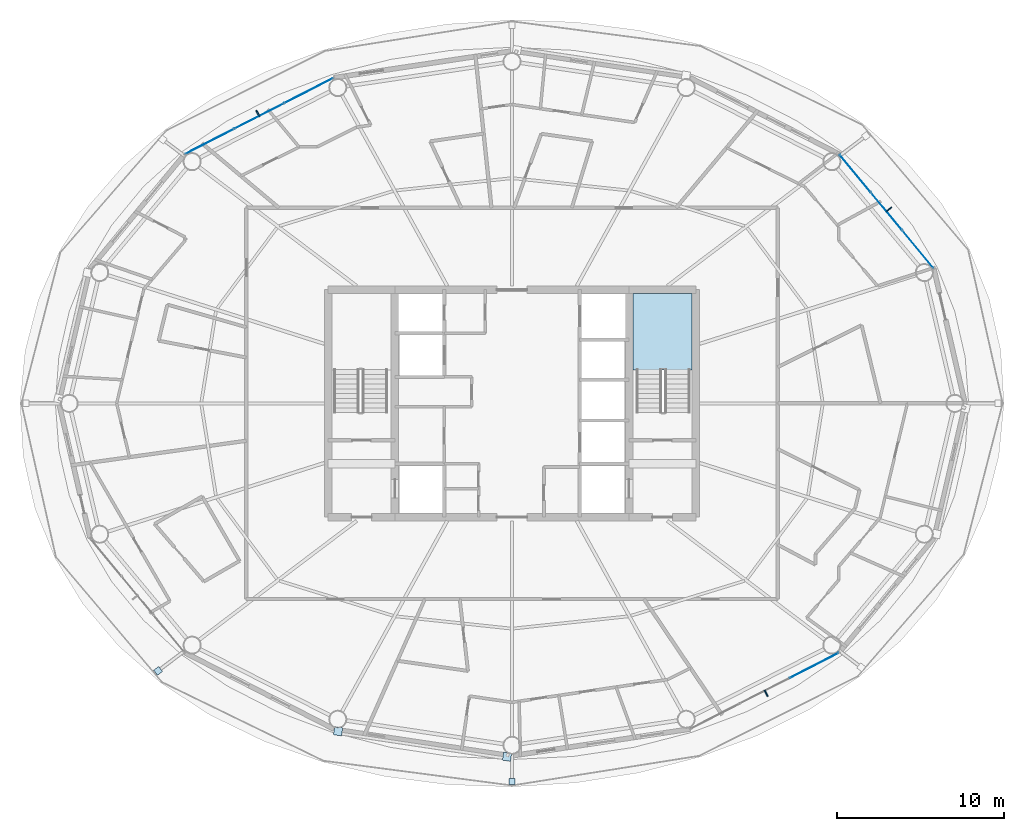
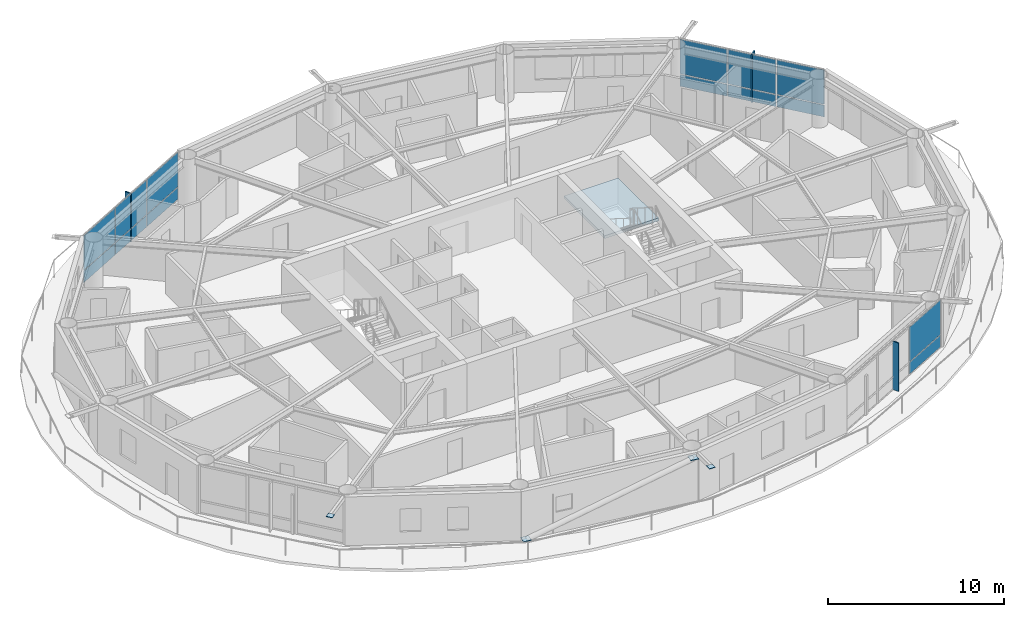
# One storey, part 19 of 29: 21 plates, 1 slab, 4 elements without a shape of their own.
"""IFC4 building model written with IfcOpenShell, lengths in metres."""

from ifc_helpers import new_model, si_unit, direction, frame, origin, origin_2d, place, context, subcontext, project, spatial, polyline, rectangle, outline, extrude, material, layer, layer_set, type_object, element, aggregate, save


model = new_model("IFC4")

# Units and contexts
model_context = context("Model", 3, precision=1e-05, world=origin(), true_north=direction((0.0, 1.0)))
body_context = subcontext(model_context, "Body", "Model", "MODEL_VIEW")
ifc_project = project(units=[si_unit("LENGTHUNIT", "METRE"), si_unit("AREAUNIT", "SQUARE_METRE"), si_unit("VOLUMEUNIT", "CUBIC_METRE"), si_unit("PLANEANGLEUNIT", "RADIAN"), si_unit("MASSUNIT", "GRAM", prefix="KILO")], contexts=[model_context])

# Site, building, storey
site_placement = place(None, origin())
site = spatial("IfcSite", under=ifc_project, at=site_placement, CompositionType="ELEMENT")
building_placement = place(site_placement, origin())
building = spatial("IfcBuilding", under=site, at=building_placement, Name="Sarneth Arch Tower", CompositionType="ELEMENT")
storey_placement = place(building_placement, frame((0.0, 0.0, 175.800048828125)))
storey = spatial("IfcBuildingStorey", under=building, at=storey_placement, Name="L44", CompositionType="ELEMENT", Elevation=175.800048828125)

# Curtain wall, plates
ifc_material_1 = material(Name="Anodised aluminium Type AA25 and solar-control low-e laminated IGU", Category="aluminium")
ifc_layer_1 = layer(ifc_material_1, 0.169921875)
ifc_layer_set_1 = layer_set([ifc_layer_1], Name="Anodised aluminium Type AA25 and solar-control low-e laminated IGU")
curtain_wall_type = type_object("IfcCurtainWallType", Name="CW-RES-MID", PredefinedType="NOTDEFINED", material=ifc_layer_set_1)
curtain_wall_1_placement = place(storey_placement, origin())
curtain_wall_1 = element("IfcCurtainWall", 1, at=curtain_wall_1_placement, inside=storey, type_object=curtain_wall_type, Name="L44 Unitised curtain wall facet 02", PredefinedType="NOTDEFINED")
ifc_material_2 = material(Name="Solar-control low-e laminated IGU", Category="glass")
ifc_layer_2 = layer(ifc_material_2, 0.028076171875)
ifc_layer_set_2 = layer_set([ifc_layer_2], Name="Solar-control low-e laminated IGU")
plate_type_1 = type_object("IfcPlateType", Name="CW-PANEL", PredefinedType="CURTAIN_PANEL", material=ifc_layer_set_2)
plate_1_placement = place(storey_placement, frame((72.280029296875, 51.21826171875, 0.059814453125), z_axis=(0.0, 0.0, 1.0), x_axis=(-0.637330298558, 0.770590741276, 0.0)))
plate_1 = element("IfcPlate", 2, at=plate_1_placement, type_object=plate_type_1, Name="Curtain wall glazed vision pane CW-L44-F02/P00-00", PredefinedType="CURTAIN_PANEL", context=body_context, shape_type="SweptSolid", body=[
    extrude(rectangle(XDim=2.8681640625, YDim=0.028076171875, at=origin_2d()), origin(), (0.0, 0.0, 1.0), 0.81005859375),
])
plate_2_placement = place(storey_placement, frame((72.280029296875, 51.21826171875, 0.93017578125), z_axis=(0.0, 0.0, 1.0), x_axis=(-0.637330298558, 0.770590741276, 0.0)))
plate_2 = element("IfcPlate", 3, at=plate_2_placement, type_object=plate_type_1, Name="Curtain wall glazed vision pane CW-L44-F02/P00-01", PredefinedType="CURTAIN_PANEL", context=body_context, shape_type="SweptSolid", body=[
    extrude(rectangle(XDim=2.8681640625, YDim=0.028076171875, at=origin_2d()), origin(), (0.0, 0.0, 1.0), 2.389892578125),
])
plate_3_placement = place(storey_placement, frame((70.404296875, 53.486328125, 0.059814453125), z_axis=(0.0, 0.0, 1.0), x_axis=(-0.637330298558, 0.770590741276, 0.0)))
plate_3 = element("IfcPlate", 4, at=plate_3_placement, type_object=plate_type_1, Name="Curtain wall glazed vision pane CW-L44-F02/P01-00", PredefinedType="CURTAIN_PANEL", context=body_context, shape_type="SweptSolid", body=[
    extrude(rectangle(XDim=2.898193359375, YDim=0.028076171875, at=origin_2d()), origin(), (0.0, 0.0, 1.0), 0.81005859375),
])
plate_4_placement = place(storey_placement, frame((70.404296875, 53.486328125, 0.93017578125), z_axis=(0.0, 0.0, 1.0), x_axis=(-0.637330298558, 0.770590741276, 0.0)))
plate_4 = element("IfcPlate", 5, at=plate_4_placement, type_object=plate_type_1, Name="Curtain wall glazed vision pane CW-L44-F02/P01-01", PredefinedType="CURTAIN_PANEL", context=body_context, shape_type="SweptSolid", body=[
    extrude(rectangle(XDim=2.898193359375, YDim=0.028076171875, at=origin_2d()), origin(), (0.0, 0.0, 1.0), 2.389892578125),
])
plate_5_placement = place(storey_placement, frame((68.5283203125, 55.75439453125, 0.059814453125), z_axis=(0.0, 0.0, 1.0), x_axis=(-0.637330298558, 0.770590741276, 0.0)))
plate_5 = element("IfcPlate", 6, at=plate_5_placement, type_object=plate_type_1, Name="Curtain wall glazed vision pane CW-L44-F02/P02-00", PredefinedType="CURTAIN_PANEL", context=body_context, shape_type="SweptSolid", body=[
    extrude(rectangle(XDim=2.8681640625, YDim=0.028076171875, at=origin_2d()), origin(), (0.0, 0.0, 1.0), 0.81005859375),
])
plate_6_placement = place(storey_placement, frame((68.5283203125, 55.75439453125, 0.93017578125), z_axis=(0.0, 0.0, 1.0), x_axis=(-0.637330298558, 0.770590741276, 0.0)))
plate_6 = element("IfcPlate", 7, at=plate_6_placement, type_object=plate_type_1, Name="Curtain wall glazed vision pane CW-L44-F02/P02-01", PredefinedType="CURTAIN_PANEL", context=body_context, shape_type="SweptSolid", body=[
    extrude(rectangle(XDim=2.8681640625, YDim=0.028076171875, at=origin_2d()), origin(), (0.0, 0.0, 1.0), 2.389892578125),
])
aggregate(curtain_wall_1, [plate_1, plate_2, plate_3, plate_4, plate_5, plate_6])

curtain_wall_2_placement = place(storey_placement, origin())
curtain_wall_2 = element("IfcCurtainWall", 8, at=curtain_wall_2_placement, inside=storey, type_object=curtain_wall_type, Name="L44 Unitised curtain wall facet 06", PredefinedType="NOTDEFINED")
plate_7_placement = place(storey_placement, frame((35.83837890625, 60.70703125, 0.059814453125), z_axis=(0.0, 0.0, 1.0), x_axis=(-0.88987293003, -0.456208470329, 0.0)))
plate_7 = element("IfcPlate", 9, at=plate_7_placement, type_object=plate_type_1, Name="Curtain wall glazed vision pane CW-L44-F06/P00-00", PredefinedType="CURTAIN_PANEL", context=body_context, shape_type="SweptSolid", body=[
    extrude(rectangle(XDim=3.248779296875, YDim=0.028076171875, at=origin_2d()), origin(), (0.0, 0.0, 1.0), 0.81005859375),
])
plate_8_placement = place(storey_placement, frame((35.83837890625, 60.70703125, 0.93017578125), z_axis=(0.0, 0.0, 1.0), x_axis=(-0.88987293003, -0.456208470329, 0.0)))
plate_8 = element("IfcPlate", 10, at=plate_8_placement, type_object=plate_type_1, Name="Curtain wall glazed vision pane CW-L44-F06/P00-01", PredefinedType="CURTAIN_PANEL", context=body_context, shape_type="SweptSolid", body=[
    extrude(rectangle(XDim=3.248779296875, YDim=0.028076171875, at=origin_2d()), origin(), (0.0, 0.0, 1.0), 2.389892578125),
])
plate_9_placement = place(storey_placement, frame((32.880615234375, 59.190673828125, 0.059814453125), z_axis=(0.0, 0.0, 1.0), x_axis=(-0.88987293003, -0.456208470329, 0.0)))
plate_9 = element("IfcPlate", 11, at=plate_9_placement, type_object=plate_type_1, Name="Curtain wall glazed vision pane CW-L44-F06/P01-00", PredefinedType="CURTAIN_PANEL", context=body_context, shape_type="SweptSolid", body=[
    extrude(rectangle(XDim=3.27880859375, YDim=0.028076171875, at=origin_2d()), origin(), (0.0, 0.0, 1.0), 0.81005859375),
])
plate_10_placement = place(storey_placement, frame((32.880615234375, 59.190673828125, 0.93017578125), z_axis=(0.0, 0.0, 1.0), x_axis=(-0.88987293003, -0.456208470329, 0.0)))
plate_10 = element("IfcPlate", 12, at=plate_10_placement, type_object=plate_type_1, Name="Curtain wall glazed vision pane CW-L44-F06/P01-01", PredefinedType="CURTAIN_PANEL", context=body_context, shape_type="SweptSolid", body=[
    extrude(rectangle(XDim=3.27880859375, YDim=0.028076171875, at=origin_2d()), origin(), (0.0, 0.0, 1.0), 2.389892578125),
])
plate_11_placement = place(storey_placement, frame((29.9228515625, 57.67431640625, 0.059814453125), z_axis=(0.0, 0.0, 1.0), x_axis=(-0.88987293003, -0.456208470329, 0.0)))
plate_11 = element("IfcPlate", 13, at=plate_11_placement, type_object=plate_type_1, Name="Curtain wall glazed vision pane CW-L44-F06/P02-00", PredefinedType="CURTAIN_PANEL", context=body_context, shape_type="SweptSolid", body=[
    extrude(rectangle(XDim=3.248779296875, YDim=0.028076171875, at=origin_2d()), origin(), (0.0, 0.0, 1.0), 0.81005859375),
])
plate_12_placement = place(storey_placement, frame((29.9228515625, 57.67431640625, 0.93017578125), z_axis=(0.0, 0.0, 1.0), x_axis=(-0.88987293003, -0.456208470329, 0.0)))
plate_12 = element("IfcPlate", 14, at=plate_12_placement, type_object=plate_type_1, Name="Curtain wall glazed vision pane CW-L44-F06/P02-01", PredefinedType="CURTAIN_PANEL", context=body_context, shape_type="SweptSolid", body=[
    extrude(rectangle(XDim=3.248779296875, YDim=0.028076171875, at=origin_2d()), origin(), (0.0, 0.0, 1.0), 2.389892578125),
])
aggregate(curtain_wall_2, [plate_7, plate_8, plate_9, plate_10, plate_11, plate_12])

curtain_wall_3_placement = place(storey_placement, origin())
curtain_wall_3 = element("IfcCurtainWall", 15, at=curtain_wall_3_placement, inside=storey, type_object=curtain_wall_type, Name="L44 Unitised curtain wall facet 14", PredefinedType="NOTDEFINED")
plate_13_placement = place(storey_placement, frame((66.0771484375, 26.32568359375, 0.059814453125), z_axis=(0.0, 0.0, 1.0), x_axis=(0.88987293003, 0.456208470329, 0.0)))
plate_13 = element("IfcPlate", 16, at=plate_13_placement, type_object=plate_type_1, Name="Curtain wall glazed vision pane CW-L44-F14/P02-00", PredefinedType="CURTAIN_PANEL", context=body_context, shape_type="SweptSolid", body=[
    extrude(rectangle(XDim=3.248779296875, YDim=0.028076171875, at=origin_2d()), origin(), (0.0, 0.0, 1.0), 0.81005859375),
])
plate_14_placement = place(storey_placement, frame((66.0771484375, 26.32568359375, 0.93017578125), z_axis=(0.0, 0.0, 1.0), x_axis=(0.88987293003, 0.456208470329, 0.0)))
plate_14 = element("IfcPlate", 17, at=plate_14_placement, type_object=plate_type_1, Name="Curtain wall glazed vision pane CW-L44-F14/P02-01", PredefinedType="CURTAIN_PANEL", context=body_context, shape_type="SweptSolid", body=[
    extrude(rectangle(XDim=3.248779296875, YDim=0.028076171875, at=origin_2d()), origin(), (0.0, 0.0, 1.0), 2.389892578125),
])
aggregate(curtain_wall_3, [plate_13, plate_14])

# Plates
ifc_material_3 = material(Name="Steel S355", Category="steel")
ifc_layer_3 = layer(ifc_material_3, 0.035888671875)
ifc_layer_set_3 = layer_set([ifc_layer_3], Name="Steel S355")
plate_type_2 = type_object("IfcPlateType", Name="PLT-GUSSET-30", PredefinedType="SHEET", material=ifc_layer_set_3)
plate_15_placement = place(storey_placement, frame((26.830322265625, 26.001220703125, 3.2021484375), z_axis=(0.0, 0.0, 1.0), x_axis=(-0.797794439539, -0.602929541689, 0.0)))
element("IfcPlate", 18, at=plate_15_placement, inside=storey, type_object=plate_type_2, Name="Steel end cap plate GP-1", PredefinedType="SHEET", context=body_context, shape_type="SweptSolid", body=[
    extrude(rectangle(XDim=0.3798828125, YDim=0.3798828125, at=origin_2d()), origin(), (0.0, 0.0, 1.0), 0.035888671875),
])
for number, where, z_axis, x_axis, name in (
    (19, (37.595703125, 22.387451171875, 0.001953125), (0.0, 0.0, 1.0), (0.98883454203, -0.149017611339, 0.0), "Steel end cap plate GP-1"),
    (20, (47.703369140625, 20.86474609375, 3.03271484375), (0.0, 0.0, 1.0), (0.98883454203, -0.149017611339, 0.0), "Steel end cap plate GP-1"),
):
    element("IfcPlate", number, at=place(storey_placement, frame(where, z_axis=z_axis, x_axis=x_axis)), inside=storey, type_object=plate_type_2, Name=name, PredefinedType="SHEET", context=body_context, shape_type="SweptSolid", body=[
        extrude(rectangle(XDim=0.486083984375, YDim=0.486083984375, at=origin_2d()), origin(), (0.0, 0.0, 1.0), 0.035888671875),
    ])
plate_16_placement = place(storey_placement, frame((48.0, 19.3857421875, 3.2021484375), z_axis=(0.0, 0.0, 1.0), x_axis=(0.0, -1.0, 0.0)))
element("IfcPlate", 21, at=plate_16_placement, inside=storey, type_object=plate_type_2, Name="Steel end cap plate GP-1", PredefinedType="SHEET", context=body_context, shape_type="SweptSolid", body=[
    extrude(rectangle(XDim=0.3798828125, YDim=0.3798828125, at=origin_2d()), origin(), (0.0, 0.0, 1.0), 0.035888671875),
])
ifc_material_4 = material(Name="Extruded glazed terracotta baguette fin on Aluminium 6063-T6 carrier", Category="masonry")
ifc_layer_4 = layer(ifc_material_4, 0.080078125)
ifc_layer_set_4 = layer_set([ifc_layer_4], Name="Extruded glazed terracotta baguette fin on Aluminium 6063-T6 carrier")
plate_type_3 = type_object("IfcPlateType", Name="SHADE-TERRA-FIN", PredefinedType="SHEET", material=ifc_layer_set_4)
for number, where, z_axis, x_axis, name in (
    (22, (70.53515625, 53.5947265625, 0.009765625), (0.0, 0.0, 1.0), (0.770624482513, 0.637289500111, 0.0), "L44 Terracotta vertical shading fin 02"),
    (23, (32.802978515625, 59.341796875, 0.009765625), (0.0, 0.0, 1.0), (-0.456166281949, 0.889894557357, 0.0), "L44 Terracotta vertical shading fin 06"),
    (24, (63.197021484375, 24.658203125, 0.009765625), (0.0, 0.0, 1.0), (0.456166281949, -0.889894557357, 0.0), "L44 Terracotta vertical shading fin 14"),
):
    element("IfcPlate", number, at=place(storey_placement, frame(where, z_axis=z_axis, x_axis=x_axis)), inside=storey, type_object=plate_type_3, Name=name, PredefinedType="SHEET", context=body_context, shape_type="SweptSolid", body=[
        extrude(rectangle(XDim=0.419921875, YDim=0.080078125, at=origin_2d()), origin(), (0.0, 0.0, 1.0), 3.360107421875),
    ])

# Stair, slab
ifc_material_5 = material(Name="Concrete C50/60", Category="concrete")
stair_type = type_object("IfcStairType", Name="STAIR-CORE-RC", PredefinedType="HALF_TURN_STAIR", material=ifc_material_5)
stair_placement = place(storey_placement, origin())
stair = element("IfcStair", 25, at=stair_placement, inside=storey, type_object=stair_type, Name="L44 Core Exit Stair 2", PredefinedType="HALF_TURN_STAIR")
ifc_material_6 = material(Name="Concrete C50/60", Category="concrete")
ifc_layer_5 = layer(ifc_material_6, 0.199951171875)
ifc_layer_set_5 = layer_set([ifc_layer_5], Name="Concrete C50/60")
slab_type = type_object("IfcSlabType", Name="SLAB-LANDING-200", PredefinedType="LANDING", material=ifc_layer_set_5)
slab_placement = place(storey_placement, frame((0.0, 0.0, 1.599853515625)))
slab = element("IfcSlab", 26, at=slab_placement, type_object=slab_type, Name="ST-2 landing 1", PredefinedType="LANDING", context=body_context, shape_type="SweptSolid", body=[
    extrude(outline(polyline([(55.22509765625, 43.985107421875), (58.77490234375, 43.985107421875), (58.77490234375, 48.574951171875), (55.22509765625, 48.574951171875), (55.22509765625, 43.985107421875)])), origin(), (0.0, 0.0, 1.0), 0.2001953125),
])
aggregate(stair, [slab])

save(model, "model.ifc")
